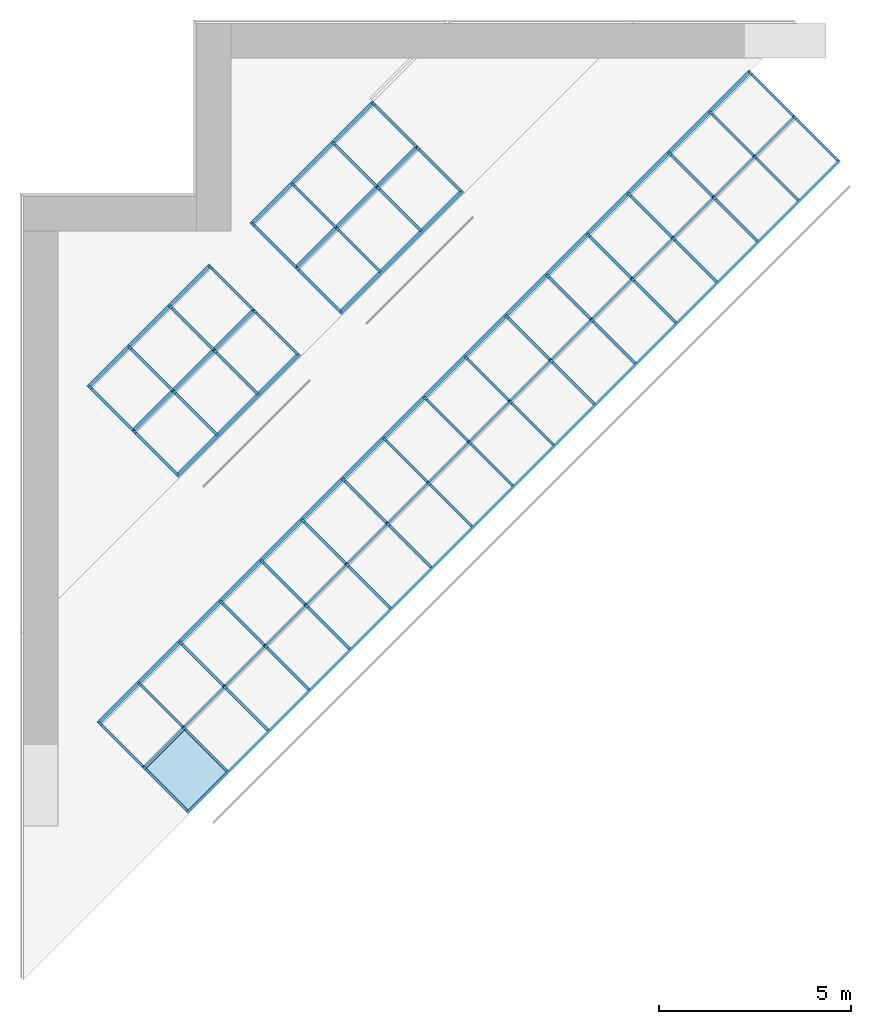
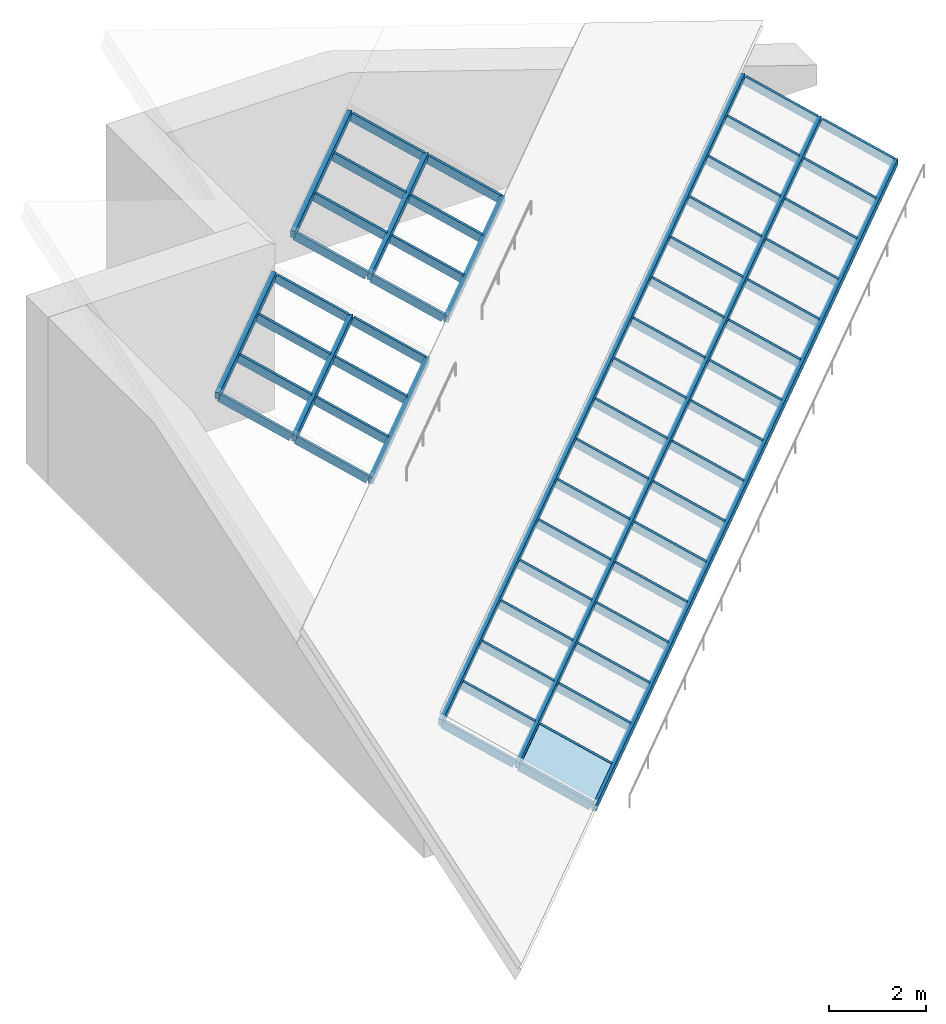
# One storey, part 1 of 3: 59 members, 1 plate, 3 elements without a shape of their own.
"""IFC4 building model written with IfcOpenShell, lengths in metres."""

from ifc_helpers import new_model, si_unit, direction, frame, origin, origin_2d, place, context, subcontext, project, spatial, polyline, rectangle, outline, extrude, material, layer, layer_set, material_profile, profile_set, type_object, element, aggregate, save


model = new_model("IFC4")

# Units and contexts
model_context = context("Model", 3, precision=1e-05, world=origin(), true_north=direction((0.0, 1.0)))
body_context = subcontext(model_context, "Body", "Model", "MODEL_VIEW")
ifc_project = project(units=[si_unit("LENGTHUNIT", "METRE"), si_unit("AREAUNIT", "SQUARE_METRE"), si_unit("VOLUMEUNIT", "CUBIC_METRE"), si_unit("PLANEANGLEUNIT", "RADIAN"), si_unit("MASSUNIT", "GRAM", prefix="KILO")], contexts=[model_context])

# Site, building, storey
site_placement = place(None, origin())
site = spatial("IfcSite", under=ifc_project, at=site_placement, CompositionType="ELEMENT")
building_placement = place(site_placement, origin())
building = spatial("IfcBuilding", under=site, at=building_placement, Name="Hunhe Ridgeline Campus", CompositionType="ELEMENT")
storey_placement = place(building_placement, frame((0.0, 0.0, 328.199951171875)))
storey = spatial("IfcBuildingStorey", under=building, at=storey_placement, Name="L84 Crown", CompositionType="ELEMENT", Elevation=328.199951171875)

# Curtain wall, members
ifc_material_1 = material(Name="Aluminium 6063", Category="aluminium")
curtain_wall_type = type_object("IfcCurtainWallType", Name="Curtain wall CW-6", PredefinedType="NOTDEFINED", material=ifc_material_1)
curtain_wall_1_placement = place(storey_placement, origin())
curtain_wall_1 = element("IfcCurtainWall", 1, at=curtain_wall_1_placement, inside=storey, type_object=curtain_wall_type, Name="Rooflight 7", PredefinedType="NOTDEFINED")
ifc_material_profile_1 = material_profile(ifc_material_1, rectangle(XDim=0.070068359375, YDim=0.199951171875, at=origin_2d()))
ifc_profile_set_1 = profile_set([ifc_material_profile_1], Name="Aluminium 6063")
member_type_1 = type_object("IfcMemberType", Name="CW-6 aluminium mullion", PredefinedType="MULLION", material=ifc_profile_set_1)
member_1_placement = place(storey_placement, frame((21.150146484375, 95.47314453125, -0.42822265625), z_axis=(-0.639687317978, 0.63954317933, 0.426362119554), x_axis=(-0.707027102695, -0.707186450701, 0.0)))
member_1 = element("IfcMember", 2, at=member_1_placement, type_object=member_type_1, Name="E-L84 Crown-RL-07/M0-00", PredefinedType="MULLION", context=body_context, shape_type="SweptSolid", body=[
    extrude(rectangle(XDim=0.070068359375, YDim=0.199951171875, at=origin_2d()), origin(), (0.0, 0.0, 1.0), 1.69384765625),
])
member_2_placement = place(storey_placement, frame((20.114013671875, 94.437255859375, -0.42822265625), z_axis=(-0.639602149067, 0.639602149067, 0.426401432711), x_axis=(-0.707106781187, -0.707106781187, 0.0)))
member_2 = element("IfcMember", 3, at=member_2_placement, type_object=member_type_1, Name="E-L84 Crown-RL-07/M0-01", PredefinedType="MULLION", context=body_context, shape_type="SweptSolid", body=[
    extrude(rectangle(XDim=0.070068359375, YDim=0.199951171875, at=origin_2d()), origin(), (0.0, 0.0, 1.0), 1.693603515625),
])
member_3_placement = place(storey_placement, frame((19.053466796875, 93.37646484375, -0.42822265625), z_axis=(-0.639602149067, 0.639602149067, 0.426401432711), x_axis=(-0.707106781187, -0.707106781187, 0.0)))
member_3 = element("IfcMember", 4, at=member_3_placement, type_object=member_type_1, Name="E-L84 Crown-RL-07/M0-02", PredefinedType="MULLION", context=body_context, shape_type="SweptSolid", body=[
    extrude(rectangle(XDim=0.070068359375, YDim=0.199951171875, at=origin_2d()), origin(), (0.0, 0.0, 1.0), 1.693603515625),
])
member_4_placement = place(storey_placement, frame((17.992919921875, 92.31591796875, -0.42822265625), z_axis=(-0.639687317978, 0.63954317933, 0.426362119554), x_axis=(-0.707027102695, -0.707186450701, 0.0)))
member_4 = element("IfcMember", 5, at=member_4_placement, type_object=member_type_1, Name="E-L84 Crown-RL-07/M0-03", PredefinedType="MULLION", context=body_context, shape_type="SweptSolid", body=[
    extrude(rectangle(XDim=0.070068359375, YDim=0.199951171875, at=origin_2d()), origin(), (0.0, 0.0, 1.0), 1.69384765625),
])
member_5_placement = place(storey_placement, frame((16.93212890625, 91.255126953125, -0.42822265625), z_axis=(-0.639602149067, 0.639602149067, 0.426401432711), x_axis=(-0.707106781187, -0.707106781187, 0.0)))
member_5 = element("IfcMember", 6, at=member_5_placement, type_object=member_type_1, Name="E-L84 Crown-RL-07/M0-04", PredefinedType="MULLION", context=body_context, shape_type="SweptSolid", body=[
    extrude(rectangle(XDim=0.070068359375, YDim=0.199951171875, at=origin_2d()), origin(), (0.0, 0.0, 1.0), 1.693603515625),
])
member_6_placement = place(storey_placement, frame((15.87158203125, 90.194580078125, -0.42822265625), z_axis=(-0.639602149067, 0.639602149067, 0.426401432711), x_axis=(-0.707106781187, -0.707106781187, 0.0)))
member_6 = element("IfcMember", 7, at=member_6_placement, type_object=member_type_1, Name="E-L84 Crown-RL-07/M0-05", PredefinedType="MULLION", context=body_context, shape_type="SweptSolid", body=[
    extrude(rectangle(XDim=0.070068359375, YDim=0.199951171875, at=origin_2d()), origin(), (0.0, 0.0, 1.0), 1.693603515625),
])
member_7_placement = place(storey_placement, frame((14.810791015625, 89.1337890625, -0.42822265625), z_axis=(-0.639602149067, 0.639602149067, 0.426401432711), x_axis=(-0.707106781187, -0.707106781187, 0.0)))
member_7 = element("IfcMember", 8, at=member_7_placement, type_object=member_type_1, Name="E-L84 Crown-RL-07/M0-06", PredefinedType="MULLION", context=body_context, shape_type="SweptSolid", body=[
    extrude(rectangle(XDim=0.070068359375, YDim=0.199951171875, at=origin_2d()), origin(), (0.0, 0.0, 1.0), 1.693603515625),
])
member_8_placement = place(storey_placement, frame((13.750244140625, 88.0732421875, -0.42822265625), z_axis=(-0.639602149067, 0.639602149067, 0.426401432711), x_axis=(-0.707106781187, -0.707106781187, 0.0)))
member_8 = element("IfcMember", 9, at=member_8_placement, type_object=member_type_1, Name="E-L84 Crown-RL-07/M0-07", PredefinedType="MULLION", context=body_context, shape_type="SweptSolid", body=[
    extrude(rectangle(XDim=0.070068359375, YDim=0.199951171875, at=origin_2d()), origin(), (0.0, 0.0, 1.0), 1.693603515625),
])
member_9_placement = place(storey_placement, frame((12.689453125, 87.012451171875, -0.42822265625), z_axis=(-0.63954317933, 0.639687317978, 0.426362119554), x_axis=(-0.707186450701, -0.707027102695, 0.0)))
member_9 = element("IfcMember", 10, at=member_9_placement, type_object=member_type_1, Name="E-L84 Crown-RL-07/M0-08", PredefinedType="MULLION", context=body_context, shape_type="SweptSolid", body=[
    extrude(rectangle(XDim=0.070068359375, YDim=0.199951171875, at=origin_2d()), origin(), (0.0, 0.0, 1.0), 1.69384765625),
])
member_10_placement = place(storey_placement, frame((11.62890625, 85.951904296875, -0.42822265625), z_axis=(-0.639602149067, 0.639602149067, 0.426401432711), x_axis=(-0.707106781187, -0.707106781187, 0.0)))
member_10 = element("IfcMember", 11, at=member_10_placement, type_object=member_type_1, Name="E-L84 Crown-RL-07/M0-09", PredefinedType="MULLION", context=body_context, shape_type="SweptSolid", body=[
    extrude(rectangle(XDim=0.070068359375, YDim=0.199951171875, at=origin_2d()), origin(), (0.0, 0.0, 1.0), 1.693603515625),
])
member_11_placement = place(storey_placement, frame((10.568115234375, 84.89111328125, -0.42822265625), z_axis=(-0.63954317933, 0.639687317978, 0.426362119554), x_axis=(-0.707186450701, -0.707027102695, 0.0)))
member_11 = element("IfcMember", 12, at=member_11_placement, type_object=member_type_1, Name="E-L84 Crown-RL-07/M0-10", PredefinedType="MULLION", context=body_context, shape_type="SweptSolid", body=[
    extrude(rectangle(XDim=0.070068359375, YDim=0.199951171875, at=origin_2d()), origin(), (0.0, 0.0, 1.0), 1.69384765625),
])
member_12_placement = place(storey_placement, frame((9.507568359375, 83.83056640625, -0.42822265625), z_axis=(-0.639602149067, 0.639602149067, 0.426401432711), x_axis=(-0.707106781187, -0.707106781187, 0.0)))
member_12 = element("IfcMember", 13, at=member_12_placement, type_object=member_type_1, Name="E-L84 Crown-RL-07/M0-11", PredefinedType="MULLION", context=body_context, shape_type="SweptSolid", body=[
    extrude(rectangle(XDim=0.070068359375, YDim=0.199951171875, at=origin_2d()), origin(), (0.0, 0.0, 1.0), 1.693603515625),
])
member_13_placement = place(storey_placement, frame((8.44677734375, 82.77001953125, -0.42822265625), z_axis=(-0.639602149067, 0.639602149067, 0.426401432711), x_axis=(-0.707106781187, -0.707106781187, 0.0)))
member_13 = element("IfcMember", 14, at=member_13_placement, type_object=member_type_1, Name="E-L84 Crown-RL-07/M0-12", PredefinedType="MULLION", context=body_context, shape_type="SweptSolid", body=[
    extrude(rectangle(XDim=0.070068359375, YDim=0.199951171875, at=origin_2d()), origin(), (0.0, 0.0, 1.0), 1.693603515625),
])
member_14_placement = place(storey_placement, frame((7.38623046875, 81.709228515625, -0.42822265625), z_axis=(-0.639602149067, 0.639602149067, 0.426401432711), x_axis=(-0.707106781187, -0.707106781187, 0.0)))
member_14 = element("IfcMember", 15, at=member_14_placement, type_object=member_type_1, Name="E-L84 Crown-RL-07/M0-13", PredefinedType="MULLION", context=body_context, shape_type="SweptSolid", body=[
    extrude(rectangle(XDim=0.070068359375, YDim=0.199951171875, at=origin_2d()), origin(), (0.0, 0.0, 1.0), 1.693603515625),
])
member_15_placement = place(storey_placement, frame((6.325439453125, 80.648681640625, -0.42822265625), z_axis=(-0.639602149067, 0.639602149067, 0.426401432711), x_axis=(-0.707106781187, -0.707106781187, 0.0)))
member_15 = element("IfcMember", 16, at=member_15_placement, type_object=member_type_1, Name="E-L84 Crown-RL-07/M0-14", PredefinedType="MULLION", context=body_context, shape_type="SweptSolid", body=[
    extrude(rectangle(XDim=0.070068359375, YDim=0.199951171875, at=origin_2d()), origin(), (0.0, 0.0, 1.0), 1.693603515625),
])
member_16_placement = place(storey_placement, frame((5.264892578125, 79.587890625, -0.42822265625), z_axis=(-0.639602149067, 0.639602149067, 0.426401432711), x_axis=(-0.707106781187, -0.707106781187, 0.0)))
member_16 = element("IfcMember", 17, at=member_16_placement, type_object=member_type_1, Name="E-L84 Crown-RL-07/M0-15", PredefinedType="MULLION", context=body_context, shape_type="SweptSolid", body=[
    extrude(rectangle(XDim=0.070068359375, YDim=0.199951171875, at=origin_2d()), origin(), (0.0, 0.0, 1.0), 1.693603515625),
])
member_17_placement = place(storey_placement, frame((4.22900390625, 78.552001953125, -0.42822265625), z_axis=(-0.639602149067, 0.639602149067, 0.426401432711), x_axis=(-0.707106781187, -0.707106781187, 0.0)))
member_17 = element("IfcMember", 18, at=member_17_placement, type_object=member_type_1, Name="E-L84 Crown-RL-07/M0-16", PredefinedType="MULLION", context=body_context, shape_type="SweptSolid", body=[
    extrude(rectangle(XDim=0.070068359375, YDim=0.199951171875, at=origin_2d()), origin(), (0.0, 0.0, 1.0), 1.693603515625),
])
member_18_placement = place(storey_placement, frame((19.99609375, 96.626953125, 0.341064453125), z_axis=(-0.63954317933, 0.639687317978, 0.426362119554), x_axis=(-0.707186450701, -0.707027102695, 0.0)))
member_18 = element("IfcMember", 19, at=member_18_placement, type_object=member_type_1, Name="E-L84 Crown-RL-07/M1-00", PredefinedType="MULLION", context=body_context, shape_type="SweptSolid", body=[
    extrude(rectangle(XDim=0.070068359375, YDim=0.199951171875, at=origin_2d()), origin(), (0.0, 0.0, 1.0), 1.69384765625),
])
member_19_placement = place(storey_placement, frame((18.960205078125, 95.591064453125, 0.341064453125), z_axis=(-0.639602149067, 0.639602149067, 0.426401432711), x_axis=(-0.707106781187, -0.707106781187, 0.0)))
member_19 = element("IfcMember", 20, at=member_19_placement, type_object=member_type_1, Name="E-L84 Crown-RL-07/M1-01", PredefinedType="MULLION", context=body_context, shape_type="SweptSolid", body=[
    extrude(rectangle(XDim=0.070068359375, YDim=0.199951171875, at=origin_2d()), origin(), (0.0, 0.0, 1.0), 1.693603515625),
])
member_20_placement = place(storey_placement, frame((17.8994140625, 94.530517578125, 0.341064453125), z_axis=(-0.639602149067, 0.639602149067, 0.426401432711), x_axis=(-0.707106781187, -0.707106781187, 0.0)))
member_20 = element("IfcMember", 21, at=member_20_placement, type_object=member_type_1, Name="E-L84 Crown-RL-07/M1-02", PredefinedType="MULLION", context=body_context, shape_type="SweptSolid", body=[
    extrude(rectangle(XDim=0.070068359375, YDim=0.199951171875, at=origin_2d()), origin(), (0.0, 0.0, 1.0), 1.693603515625),
])
member_21_placement = place(storey_placement, frame((16.8388671875, 93.4697265625, 0.341064453125), z_axis=(-0.63954317933, 0.639687317978, 0.426362119554), x_axis=(-0.707186450701, -0.707027102695, 0.0)))
member_21 = element("IfcMember", 22, at=member_21_placement, type_object=member_type_1, Name="E-L84 Crown-RL-07/M1-03", PredefinedType="MULLION", context=body_context, shape_type="SweptSolid", body=[
    extrude(rectangle(XDim=0.070068359375, YDim=0.199951171875, at=origin_2d()), origin(), (0.0, 0.0, 1.0), 1.69384765625),
])
member_22_placement = place(storey_placement, frame((15.778076171875, 92.4091796875, 0.341064453125), z_axis=(-0.639602149067, 0.639602149067, 0.426401432711), x_axis=(-0.707106781187, -0.707106781187, 0.0)))
member_22 = element("IfcMember", 23, at=member_22_placement, type_object=member_type_1, Name="E-L84 Crown-RL-07/M1-04", PredefinedType="MULLION", context=body_context, shape_type="SweptSolid", body=[
    extrude(rectangle(XDim=0.070068359375, YDim=0.199951171875, at=origin_2d()), origin(), (0.0, 0.0, 1.0), 1.693603515625),
])
member_23_placement = place(storey_placement, frame((14.717529296875, 91.3486328125, 0.341064453125), z_axis=(-0.639602149067, 0.639602149067, 0.426401432711), x_axis=(-0.707106781187, -0.707106781187, 0.0)))
member_23 = element("IfcMember", 24, at=member_23_placement, type_object=member_type_1, Name="E-L84 Crown-RL-07/M1-05", PredefinedType="MULLION", context=body_context, shape_type="SweptSolid", body=[
    extrude(rectangle(XDim=0.070068359375, YDim=0.199951171875, at=origin_2d()), origin(), (0.0, 0.0, 1.0), 1.693603515625),
])
member_24_placement = place(storey_placement, frame((13.65673828125, 90.287841796875, 0.341064453125), z_axis=(-0.639602149067, 0.639602149067, 0.426401432711), x_axis=(-0.707106781187, -0.707106781187, 0.0)))
member_24 = element("IfcMember", 25, at=member_24_placement, type_object=member_type_1, Name="E-L84 Crown-RL-07/M1-06", PredefinedType="MULLION", context=body_context, shape_type="SweptSolid", body=[
    extrude(rectangle(XDim=0.070068359375, YDim=0.199951171875, at=origin_2d()), origin(), (0.0, 0.0, 1.0), 1.693603515625),
])
member_25_placement = place(storey_placement, frame((12.59619140625, 89.227294921875, 0.341064453125), z_axis=(-0.639602149067, 0.639602149067, 0.426401432711), x_axis=(-0.707106781187, -0.707106781187, 0.0)))
member_25 = element("IfcMember", 26, at=member_25_placement, type_object=member_type_1, Name="E-L84 Crown-RL-07/M1-07", PredefinedType="MULLION", context=body_context, shape_type="SweptSolid", body=[
    extrude(rectangle(XDim=0.070068359375, YDim=0.199951171875, at=origin_2d()), origin(), (0.0, 0.0, 1.0), 1.693603515625),
])
member_26_placement = place(storey_placement, frame((11.535400390625, 88.16650390625, 0.341064453125), z_axis=(-0.639602149067, 0.639602149067, 0.426401432711), x_axis=(-0.707106781187, -0.707106781187, 0.0)))
member_26 = element("IfcMember", 27, at=member_26_placement, type_object=member_type_1, Name="E-L84 Crown-RL-07/M1-08", PredefinedType="MULLION", context=body_context, shape_type="SweptSolid", body=[
    extrude(rectangle(XDim=0.070068359375, YDim=0.199951171875, at=origin_2d()), origin(), (0.0, 0.0, 1.0), 1.693603515625),
])
member_27_placement = place(storey_placement, frame((10.474853515625, 87.10595703125, 0.341064453125), z_axis=(-0.639602149067, 0.639602149067, 0.426401432711), x_axis=(-0.707106781187, -0.707106781187, 0.0)))
member_27 = element("IfcMember", 28, at=member_27_placement, type_object=member_type_1, Name="E-L84 Crown-RL-07/M1-09", PredefinedType="MULLION", context=body_context, shape_type="SweptSolid", body=[
    extrude(rectangle(XDim=0.070068359375, YDim=0.199951171875, at=origin_2d()), origin(), (0.0, 0.0, 1.0), 1.693603515625),
])
member_28_placement = place(storey_placement, frame((9.414306640625, 86.045166015625, 0.341064453125), z_axis=(-0.639687317978, 0.63954317933, 0.426362119554), x_axis=(-0.707027102695, -0.707186450701, 0.0)))
member_28 = element("IfcMember", 29, at=member_28_placement, type_object=member_type_1, Name="E-L84 Crown-RL-07/M1-10", PredefinedType="MULLION", context=body_context, shape_type="SweptSolid", body=[
    extrude(rectangle(XDim=0.070068359375, YDim=0.199951171875, at=origin_2d()), origin(), (0.0, 0.0, 1.0), 1.69384765625),
])
member_29_placement = place(storey_placement, frame((8.353515625, 84.984619140625, 0.341064453125), z_axis=(-0.639602149067, 0.639602149067, 0.426401432711), x_axis=(-0.707106781187, -0.707106781187, 0.0)))
member_29 = element("IfcMember", 30, at=member_29_placement, type_object=member_type_1, Name="E-L84 Crown-RL-07/M1-11", PredefinedType="MULLION", context=body_context, shape_type="SweptSolid", body=[
    extrude(rectangle(XDim=0.070068359375, YDim=0.199951171875, at=origin_2d()), origin(), (0.0, 0.0, 1.0), 1.693603515625),
])
member_30_placement = place(storey_placement, frame((7.29296875, 83.923828125, 0.341064453125), z_axis=(-0.639602149067, 0.639602149067, 0.426401432711), x_axis=(-0.707106781187, -0.707106781187, 0.0)))
member_30 = element("IfcMember", 31, at=member_30_placement, type_object=member_type_1, Name="E-L84 Crown-RL-07/M1-12", PredefinedType="MULLION", context=body_context, shape_type="SweptSolid", body=[
    extrude(rectangle(XDim=0.070068359375, YDim=0.199951171875, at=origin_2d()), origin(), (0.0, 0.0, 1.0), 1.693603515625),
])
member_31_placement = place(storey_placement, frame((6.232177734375, 82.86328125, 0.341064453125), z_axis=(-0.639602149067, 0.639602149067, 0.426401432711), x_axis=(-0.707106781187, -0.707106781187, 0.0)))
member_31 = element("IfcMember", 32, at=member_31_placement, type_object=member_type_1, Name="E-L84 Crown-RL-07/M1-13", PredefinedType="MULLION", context=body_context, shape_type="SweptSolid", body=[
    extrude(rectangle(XDim=0.070068359375, YDim=0.199951171875, at=origin_2d()), origin(), (0.0, 0.0, 1.0), 1.693603515625),
])
member_32_placement = place(storey_placement, frame((5.171630859375, 81.802490234375, 0.341064453125), z_axis=(-0.639602149067, 0.639602149067, 0.426401432711), x_axis=(-0.707106781187, -0.707106781187, 0.0)))
member_32 = element("IfcMember", 33, at=member_32_placement, type_object=member_type_1, Name="E-L84 Crown-RL-07/M1-14", PredefinedType="MULLION", context=body_context, shape_type="SweptSolid", body=[
    extrude(rectangle(XDim=0.070068359375, YDim=0.199951171875, at=origin_2d()), origin(), (0.0, 0.0, 1.0), 1.693603515625),
])
member_33_placement = place(storey_placement, frame((4.11083984375, 80.741943359375, 0.341064453125), z_axis=(-0.639602149067, 0.639602149067, 0.426401432711), x_axis=(-0.707106781187, -0.707106781187, 0.0)))
member_33 = element("IfcMember", 34, at=member_33_placement, type_object=member_type_1, Name="E-L84 Crown-RL-07/M1-15", PredefinedType="MULLION", context=body_context, shape_type="SweptSolid", body=[
    extrude(rectangle(XDim=0.070068359375, YDim=0.199951171875, at=origin_2d()), origin(), (0.0, 0.0, 1.0), 1.693603515625),
])
member_34_placement = place(storey_placement, frame((3.074951171875, 79.7060546875, 0.341064453125), z_axis=(-0.639602149067, 0.639602149067, 0.426401432711), x_axis=(-0.707106781187, -0.707106781187, 0.0)))
member_34 = element("IfcMember", 35, at=member_34_placement, type_object=member_type_1, Name="E-L84 Crown-RL-07/M1-16", PredefinedType="MULLION", context=body_context, shape_type="SweptSolid", body=[
    extrude(rectangle(XDim=0.070068359375, YDim=0.199951171875, at=origin_2d()), origin(), (0.0, 0.0, 1.0), 1.693603515625),
])

curtain_wall_2_placement = place(storey_placement, origin())
curtain_wall_2 = element("IfcCurtainWall", 36, at=curtain_wall_2_placement, inside=storey, type_object=curtain_wall_type, Name="Rooflight 8", PredefinedType="NOTDEFINED")
member_35_placement = place(storey_placement, frame((11.3466796875, 94.669677734375, 2.57177734375), z_axis=(-0.639503873019, 0.639648002808, 0.426480045135), x_axis=(-0.707186450701, -0.707027102695, 0.0)))
member_35 = element("IfcMember", 37, at=member_35_placement, type_object=member_type_1, Name="E-L84 Crown-RL-08/M0-00", PredefinedType="MULLION", context=body_context, shape_type="SweptSolid", body=[
    extrude(rectangle(XDim=0.070068359375, YDim=0.199951171875, at=origin_2d()), origin(), (0.0, 0.0, 1.0), 1.69384765625),
])
member_36_placement = place(storey_placement, frame((10.310791015625, 93.6337890625, 2.57177734375), z_axis=(-0.639562831882, 0.639562831882, 0.426519364332), x_axis=(-0.707106781187, -0.707106781187, 0.0)))
member_36 = element("IfcMember", 38, at=member_36_placement, type_object=member_type_1, Name="E-L84 Crown-RL-08/M0-01", PredefinedType="MULLION", context=body_context, shape_type="SweptSolid", body=[
    extrude(rectangle(XDim=0.070068359375, YDim=0.199951171875, at=origin_2d()), origin(), (0.0, 0.0, 1.0), 1.69384765625),
])
member_37_placement = place(storey_placement, frame((9.250244140625, 92.5732421875, 2.57177734375), z_axis=(-0.639562831882, 0.639562831882, 0.426519364332), x_axis=(-0.707106781187, -0.707106781187, 0.0)))
member_37 = element("IfcMember", 39, at=member_37_placement, type_object=member_type_1, Name="E-L84 Crown-RL-08/M0-02", PredefinedType="MULLION", context=body_context, shape_type="SweptSolid", body=[
    extrude(rectangle(XDim=0.070068359375, YDim=0.199951171875, at=origin_2d()), origin(), (0.0, 0.0, 1.0), 1.69384765625),
])
member_38_placement = place(storey_placement, frame((8.21435546875, 91.537353515625, 2.57177734375), z_axis=(-0.639648002808, 0.639503873019, 0.426480045135), x_axis=(-0.707027102695, -0.707186450701, 0.0)))
member_38 = element("IfcMember", 40, at=member_38_placement, type_object=member_type_1, Name="E-L84 Crown-RL-08/M0-03", PredefinedType="MULLION", context=body_context, shape_type="SweptSolid", body=[
    extrude(rectangle(XDim=0.070068359375, YDim=0.199951171875, at=origin_2d()), origin(), (0.0, 0.0, 1.0), 1.69384765625),
])
member_39_placement = place(storey_placement, frame((10.19287109375, 95.82373046875, 3.34130859375), z_axis=(-0.639687317978, 0.63954317933, 0.426362119554), x_axis=(-0.707027102695, -0.707186450701, 0.0)))
member_39 = element("IfcMember", 41, at=member_39_placement, type_object=member_type_1, Name="E-L84 Crown-RL-08/M1-00", PredefinedType="MULLION", context=body_context, shape_type="SweptSolid", body=[
    extrude(rectangle(XDim=0.070068359375, YDim=0.199951171875, at=origin_2d()), origin(), (0.0, 0.0, 1.0), 1.69384765625),
])
member_40_placement = place(storey_placement, frame((9.15673828125, 94.787841796875, 3.34130859375), z_axis=(-0.639602149067, 0.639602149067, 0.426401432711), x_axis=(-0.707106781187, -0.707106781187, 0.0)))
member_40 = element("IfcMember", 42, at=member_40_placement, type_object=member_type_1, Name="E-L84 Crown-RL-08/M1-01", PredefinedType="MULLION", context=body_context, shape_type="SweptSolid", body=[
    extrude(rectangle(XDim=0.070068359375, YDim=0.199951171875, at=origin_2d()), origin(), (0.0, 0.0, 1.0), 1.693603515625),
])
member_41_placement = place(storey_placement, frame((8.09619140625, 93.727294921875, 3.34130859375), z_axis=(-0.639602149067, 0.639602149067, 0.426401432711), x_axis=(-0.707106781187, -0.707106781187, 0.0)))
member_41 = element("IfcMember", 43, at=member_41_placement, type_object=member_type_1, Name="E-L84 Crown-RL-08/M1-02", PredefinedType="MULLION", context=body_context, shape_type="SweptSolid", body=[
    extrude(rectangle(XDim=0.070068359375, YDim=0.199951171875, at=origin_2d()), origin(), (0.0, 0.0, 1.0), 1.693603515625),
])
member_42_placement = place(storey_placement, frame((7.060302734375, 92.691162109375, 3.34130859375), z_axis=(-0.63954317933, 0.639687317978, 0.426362119554), x_axis=(-0.707186450701, -0.707027102695, 0.0)))
member_42 = element("IfcMember", 44, at=member_42_placement, type_object=member_type_1, Name="E-L84 Crown-RL-08/M1-03", PredefinedType="MULLION", context=body_context, shape_type="SweptSolid", body=[
    extrude(rectangle(XDim=0.070068359375, YDim=0.199951171875, at=origin_2d()), origin(), (0.0, 0.0, 1.0), 1.69384765625),
])

curtain_wall_3_placement = place(storey_placement, origin())
curtain_wall_3 = element("IfcCurtainWall", 45, at=curtain_wall_3_placement, inside=storey, type_object=curtain_wall_type, Name="Rooflight 9", PredefinedType="NOTDEFINED")
member_43_placement = place(storey_placement, frame((7.10400390625, 90.42724609375, 2.57177734375), z_axis=(-0.639562831882, 0.639562831882, 0.426519364332), x_axis=(-0.707106781187, -0.707106781187, 0.0)))
member_43 = element("IfcMember", 46, at=member_43_placement, type_object=member_type_1, Name="E-L84 Crown-RL-09/M0-00", PredefinedType="MULLION", context=body_context, shape_type="SweptSolid", body=[
    extrude(rectangle(XDim=0.070068359375, YDim=0.199951171875, at=origin_2d()), origin(), (0.0, 0.0, 1.0), 1.69384765625),
])
member_44_placement = place(storey_placement, frame((6.068115234375, 89.39111328125, 2.57177734375), z_axis=(-0.639503873019, 0.639648002808, 0.426480045135), x_axis=(-0.707186450701, -0.707027102695, 0.0)))
member_44 = element("IfcMember", 47, at=member_44_placement, type_object=member_type_1, Name="E-L84 Crown-RL-09/M0-01", PredefinedType="MULLION", context=body_context, shape_type="SweptSolid", body=[
    extrude(rectangle(XDim=0.070068359375, YDim=0.199951171875, at=origin_2d()), origin(), (0.0, 0.0, 1.0), 1.69384765625),
])
member_45_placement = place(storey_placement, frame((5.007568359375, 88.33056640625, 2.57177734375), z_axis=(-0.639562831882, 0.639562831882, 0.426519364332), x_axis=(-0.707106781187, -0.707106781187, 0.0)))
member_45 = element("IfcMember", 48, at=member_45_placement, type_object=member_type_1, Name="E-L84 Crown-RL-09/M0-02", PredefinedType="MULLION", context=body_context, shape_type="SweptSolid", body=[
    extrude(rectangle(XDim=0.070068359375, YDim=0.199951171875, at=origin_2d()), origin(), (0.0, 0.0, 1.0), 1.69384765625),
])
member_46_placement = place(storey_placement, frame((3.9716796875, 87.294677734375, 2.57177734375), z_axis=(-0.639562831882, 0.639562831882, 0.426519364332), x_axis=(-0.707106781187, -0.707106781187, 0.0)))
member_46 = element("IfcMember", 49, at=member_46_placement, type_object=member_type_1, Name="E-L84 Crown-RL-09/M0-03", PredefinedType="MULLION", context=body_context, shape_type="SweptSolid", body=[
    extrude(rectangle(XDim=0.070068359375, YDim=0.199951171875, at=origin_2d()), origin(), (0.0, 0.0, 1.0), 1.69384765625),
])
member_47_placement = place(storey_placement, frame((5.9501953125, 91.5810546875, 3.34130859375), z_axis=(-0.639602149067, 0.639602149067, 0.426401432711), x_axis=(-0.707106781187, -0.707106781187, 0.0)))
member_47 = element("IfcMember", 50, at=member_47_placement, type_object=member_type_1, Name="E-L84 Crown-RL-09/M1-00", PredefinedType="MULLION", context=body_context, shape_type="SweptSolid", body=[
    extrude(rectangle(XDim=0.070068359375, YDim=0.199951171875, at=origin_2d()), origin(), (0.0, 0.0, 1.0), 1.693603515625),
])
member_48_placement = place(storey_placement, frame((4.914306640625, 90.545166015625, 3.34130859375), z_axis=(-0.639687317978, 0.63954317933, 0.426362119554), x_axis=(-0.707027102695, -0.707186450701, 0.0)))
member_48 = element("IfcMember", 51, at=member_48_placement, type_object=member_type_1, Name="E-L84 Crown-RL-09/M1-01", PredefinedType="MULLION", context=body_context, shape_type="SweptSolid", body=[
    extrude(rectangle(XDim=0.070068359375, YDim=0.199951171875, at=origin_2d()), origin(), (0.0, 0.0, 1.0), 1.69384765625),
])
member_49_placement = place(storey_placement, frame((3.853515625, 89.484619140625, 3.34130859375), z_axis=(-0.639602149067, 0.639602149067, 0.426401432711), x_axis=(-0.707106781187, -0.707106781187, 0.0)))
member_49 = element("IfcMember", 52, at=member_49_placement, type_object=member_type_1, Name="E-L84 Crown-RL-09/M1-02", PredefinedType="MULLION", context=body_context, shape_type="SweptSolid", body=[
    extrude(rectangle(XDim=0.070068359375, YDim=0.199951171875, at=origin_2d()), origin(), (0.0, 0.0, 1.0), 1.693603515625),
])
member_50_placement = place(storey_placement, frame((2.817626953125, 88.44873046875, 3.34130859375), z_axis=(-0.639602149067, 0.639602149067, 0.426401432711), x_axis=(-0.707106781187, -0.707106781187, 0.0)))
member_50 = element("IfcMember", 53, at=member_50_placement, type_object=member_type_1, Name="E-L84 Crown-RL-09/M1-03", PredefinedType="MULLION", context=body_context, shape_type="SweptSolid", body=[
    extrude(rectangle(XDim=0.070068359375, YDim=0.199951171875, at=origin_2d()), origin(), (0.0, 0.0, 1.0), 1.693603515625),
])

# Member
ifc_material_profile_2 = material_profile(ifc_material_1, rectangle(XDim=0.10009765625, YDim=0.159912109375, at=origin_2d()))
ifc_profile_set_2 = profile_set([ifc_material_profile_2], Name="Aluminium 6063")
member_type_2 = type_object("IfcMemberType", Name="CW-6 aluminium transom", PredefinedType="USERDEFINED", material=ifc_profile_set_2)
member_51_placement = place(storey_placement, frame((21.216064453125, 95.45654296875, -0.433837890625), z_axis=(-0.707101694911, -0.707111867426, 0.0), x_axis=(0.707111867426, -0.707101694911, 0.0)))
member_51 = element("IfcMember", 54, at=member_51_placement, type_object=member_type_2, Name="E-L84 Crown-RL-07/T0", ObjectType="TRANSOM", PredefinedType="USERDEFINED", context=body_context, shape_type="SweptSolid", body=[
    extrude(rectangle(XDim=0.10009765625, YDim=0.159912109375, at=origin_2d()), origin(), (0.0, 0.0, 1.0), 24.0),
])

member_52_placement = place(storey_placement, frame((20.062255859375, 96.6103515625, 0.335693359375), z_axis=(-0.707111867426, -0.707101694911, 0.0), x_axis=(0.707101694911, -0.707111867426, 0.0)))
member_52 = element("IfcMember", 55, at=member_52_placement, type_object=member_type_2, Name="E-L84 Crown-RL-07/T1", ObjectType="TRANSOM", PredefinedType="USERDEFINED", context=body_context, shape_type="SweptSolid", body=[
    extrude(rectangle(XDim=0.10009765625, YDim=0.159912109375, at=origin_2d()), origin(), (0.0, 0.0, 1.0), 24.0),
])

member_53_placement = place(storey_placement, frame((18.908203125, 97.764404296875, 1.10498046875), z_axis=(-0.707106781187, -0.707106781187, 0.0), x_axis=(0.707106781187, -0.707106781187, 0.0)))
member_53 = element("IfcMember", 56, at=member_53_placement, type_object=member_type_2, Name="E-L84 Crown-RL-07/T2", ObjectType="TRANSOM", PredefinedType="USERDEFINED", context=body_context, shape_type="SweptSolid", body=[
    extrude(rectangle(XDim=0.10009765625, YDim=0.159912109375, at=origin_2d()), origin(), (0.0, 0.0, 1.0), 23.999755859375),
])

member_54_placement = place(storey_placement, frame((11.412841796875, 94.653076171875, 2.56640625), z_axis=(-0.707106781187, -0.707106781187, 0.0), x_axis=(0.707106781187, -0.707106781187, 0.0)))
member_54 = element("IfcMember", 57, at=member_54_placement, type_object=member_type_2, Name="E-L84 Crown-RL-08/T0", ObjectType="TRANSOM", PredefinedType="USERDEFINED", context=body_context, shape_type="SweptSolid", body=[
    extrude(rectangle(XDim=0.10009765625, YDim=0.159912109375, at=origin_2d()), origin(), (0.0, 0.0, 1.0), 4.499755859375),
])

member_55_placement = place(storey_placement, frame((10.2587890625, 95.80712890625, 3.335693359375), z_axis=(-0.707106781187, -0.707106781187, 0.0), x_axis=(0.707106781187, -0.707106781187, 0.0)))
member_55 = element("IfcMember", 58, at=member_55_placement, type_object=member_type_2, Name="E-L84 Crown-RL-08/T1", ObjectType="TRANSOM", PredefinedType="USERDEFINED", context=body_context, shape_type="SweptSolid", body=[
    extrude(rectangle(XDim=0.10009765625, YDim=0.159912109375, at=origin_2d()), origin(), (0.0, 0.0, 1.0), 4.499755859375),
])

member_56_placement = place(storey_placement, frame((9.10498046875, 96.961181640625, 4.10498046875), z_axis=(-0.707106781187, -0.707106781187, 0.0), x_axis=(0.707106781187, -0.707106781187, 0.0)))
member_56 = element("IfcMember", 59, at=member_56_placement, type_object=member_type_2, Name="E-L84 Crown-RL-08/T2", ObjectType="TRANSOM", PredefinedType="USERDEFINED", context=body_context, shape_type="SweptSolid", body=[
    extrude(rectangle(XDim=0.10009765625, YDim=0.159912109375, at=origin_2d()), origin(), (0.0, 0.0, 1.0), 4.500244140625),
])

aggregate(curtain_wall_2, [member_54, member_55, member_56, member_35, member_36, member_37, member_38, member_39, member_40, member_41, member_42])

member_57_placement = place(storey_placement, frame((7.170166015625, 90.410400390625, 2.56640625), z_axis=(-0.707106781187, -0.707106781187, 0.0), x_axis=(0.707106781187, -0.707106781187, 0.0)))
member_57 = element("IfcMember", 60, at=member_57_placement, type_object=member_type_2, Name="E-L84 Crown-RL-09/T0", ObjectType="TRANSOM", PredefinedType="USERDEFINED", context=body_context, shape_type="SweptSolid", body=[
    extrude(rectangle(XDim=0.10009765625, YDim=0.159912109375, at=origin_2d()), origin(), (0.0, 0.0, 1.0), 4.499755859375),
])

member_58_placement = place(storey_placement, frame((6.016357421875, 91.564453125, 3.335693359375), z_axis=(-0.707133907178, -0.707079654155, 0.0), x_axis=(0.707079654155, -0.707133907178, 0.0)))
member_58 = element("IfcMember", 61, at=member_58_placement, type_object=member_type_2, Name="E-L84 Crown-RL-09/T1", ObjectType="TRANSOM", PredefinedType="USERDEFINED", context=body_context, shape_type="SweptSolid", body=[
    extrude(rectangle(XDim=0.10009765625, YDim=0.159912109375, at=origin_2d()), origin(), (0.0, 0.0, 1.0), 4.5),
])

member_59_placement = place(storey_placement, frame((4.8623046875, 92.718505859375, 4.10498046875), z_axis=(-0.707106781187, -0.707106781187, 0.0), x_axis=(0.707106781187, -0.707106781187, 0.0)))
member_59 = element("IfcMember", 62, at=member_59_placement, type_object=member_type_2, Name="E-L84 Crown-RL-09/T2", ObjectType="TRANSOM", PredefinedType="USERDEFINED", context=body_context, shape_type="SweptSolid", body=[
    extrude(rectangle(XDim=0.10009765625, YDim=0.159912109375, at=origin_2d()), origin(), (0.0, 0.0, 1.0), 4.500244140625),
])

aggregate(curtain_wall_3, [member_57, member_58, member_59, member_43, member_44, member_45, member_46, member_47, member_48, member_49, member_50])

# Plate
ifc_material_2 = material(Name="Low-e laminated glass", Category="glass")
ifc_layer = layer(ifc_material_2, 0.0400390625)
ifc_layer_set = layer_set([ifc_layer], Name="Rooflight glass panel 40 low-e laminated")
plate_type = type_object("IfcPlateType", Name="Rooflight glass panel 40 low-e laminated", PredefinedType="CURTAIN_PANEL", material=ifc_layer_set)
plate_placement = place(storey_placement, frame((5.270263671875, 79.532958984375, -0.337890625), z_axis=(0.301511344578, -0.301511344578, 0.904534033733), x_axis=(-0.639602149067, 0.639602149067, 0.426401432711)))
plate = element("IfcPlate", 63, at=plate_placement, type_object=plate_type, Name="Rooflight panel 1.16", PredefinedType="CURTAIN_PANEL", context=body_context, shape_type="SweptSolid", body=[
    extrude(outline(polyline([(0.0, 0.0), (1.6936340109323371, 0.0), (1.693634010932337, 1.3948786113250256), (0.0, 1.3948786113250256), (0.0, 0.0)])), origin(), (0.0, 0.0, -1.0), 0.0400390625),
])

aggregate(curtain_wall_1, [member_51, member_52, member_53, member_1, member_2, member_3, member_4, member_5, member_6, member_7, member_8, member_9, member_10, member_11, member_12, member_13, member_14, member_15, member_16, member_17, plate, member_18, member_19, member_20, member_21, member_22, member_23, member_24, member_25, member_26, member_27, member_28, member_29, member_30, member_31, member_32, member_33, member_34])

save(model, "model.ifc")
